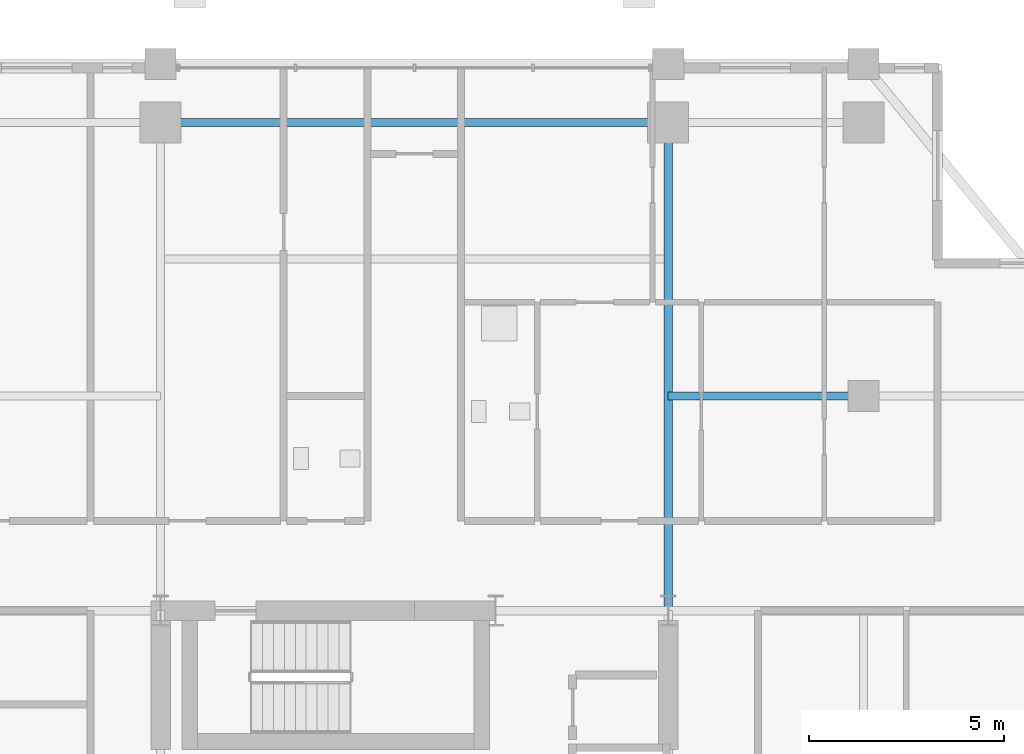
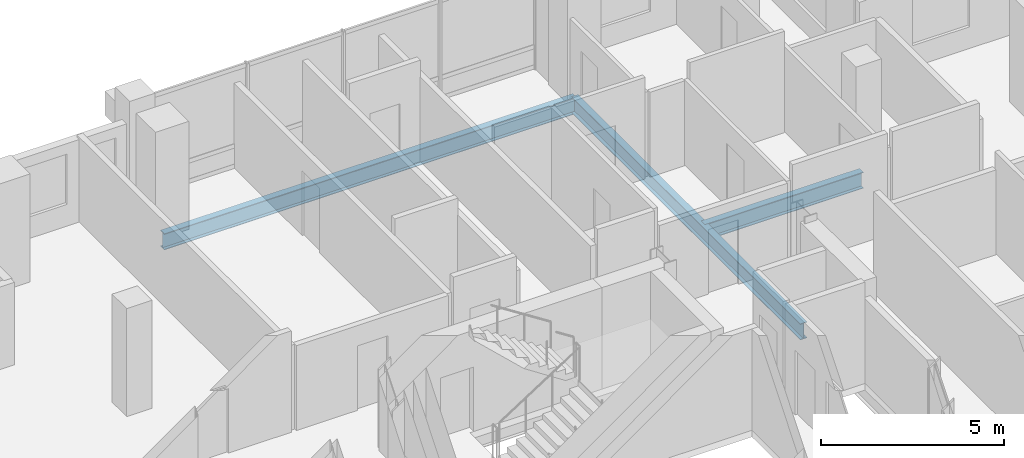
# One storey, part 14 of 24: 3 beams.
"""IFC4 building model written with IfcOpenShell, lengths in metres."""

import ifcopenshell
import ifcopenshell.guid

model = None  # the IFC model being written
_history = None  # IfcOwnerHistory: only IFC2X3 demands one
_inside = {}  # id of a spatial element -> (the spatial element, [elements in it])
_under = {}  # id of a project, library or spatial element -> (it, [spatial elements below it])
_declared = {}  # id of a project -> (the project, [libraries it declares])
_typed = {}  # id of a type object -> (the type object, [elements of that type])
_made_of = {}  # id of a material, layer set ... -> (it, [elements and type objects made of it])


def new_model(schema):
    """Start an empty IFC model of exactly this schema.

    Asked for "IFC4X3", IfcOpenShell would pick the latest addendum, in which some entities
    have other attributes; the version numbers below select the first issue.
    IFC2X3 requires an IfcOwnerHistory on every rooted entity: one is made here for all.
    """
    global model, _history
    if schema == "IFC4X3":
        model = ifcopenshell.file(schema_version=(4, 3, 0, 0))
    else:
        model = ifcopenshell.file(schema=schema)
    _inside.clear()
    _under.clear()
    _declared.clear()
    _typed.clear()
    _made_of.clear()
    _history = None
    if model.schema == "IFC2X3":
        org = make("IfcOrganization", Name="unknown")
        user = make(
            "IfcPersonAndOrganization",
            ThePerson=make("IfcPerson", FamilyName="unknown"),
            TheOrganization=org,
        )
        app = make(
            "IfcApplication",
            ApplicationDeveloper=org,
            Version="unknown",
            ApplicationFullName="unknown",
            ApplicationIdentifier="unknown",
        )
        _history = make(
            "IfcOwnerHistory",
            OwningUser=user,
            OwningApplication=app,
            ChangeAction="ADDED",
            CreationDate=0,
        )
    return model


def make(cls, **values):
    """One entity of the class cls with the attributes given. An attribute that is None is left unset."""
    return model.create_entity(
        cls, **{name: value for name, value in values.items() if value is not None}
    )


def rooted(cls, **values):
    """An entity with a GlobalId (a new one), such as an element, a storey or a relation."""
    return make(cls, GlobalId=ifcopenshell.guid.new(), OwnerHistory=_history, **values)


def si_unit(unit_type, name, prefix=None):
    """IfcSIUnit, for example si_unit("LENGTHUNIT", "METRE", prefix="MILLI")."""
    return make("IfcSIUnit", UnitType=unit_type, Prefix=prefix, Name=name)


def assignment(units):
    """IfcUnitAssignment: the units of a project."""
    return None if units is None else make("IfcUnitAssignment", Units=units)


def point(xyz):
    """IfcCartesianPoint."""
    return None if xyz is None else make("IfcCartesianPoint", Coordinates=xyz)


def direction(xyz):
    """IfcDirection."""
    return None if xyz is None else make("IfcDirection", DirectionRatios=xyz)


def frame(location, z_axis=None, x_axis=None):
    """IfcAxis2Placement3D, a coordinate frame: its origin and axes. An axis left out is left unset."""
    return make(
        "IfcAxis2Placement3D",
        Location=point(location),
        Axis=direction(z_axis),
        RefDirection=direction(x_axis),
    )


def frame_2d(location, x_axis=None):
    """IfcAxis2Placement2D, a coordinate frame in the plane: its origin and x axis."""
    return make(
        "IfcAxis2Placement2D", Location=point(location), RefDirection=direction(x_axis)
    )


def origin():
    """The frame at (0, 0, 0) with its axes left unset."""
    return frame((0.0, 0.0, 0.0))


def origin_2d():
    """The frame at (0, 0) in the plane with its x axis left unset."""
    return frame_2d((0.0, 0.0))


def place(relative_to, where):
    """IfcLocalPlacement: puts the frame where relative to a parent placement (None: the world)."""
    return make(
        "IfcLocalPlacement", PlacementRelTo=relative_to, RelativePlacement=where
    )


def context(
    kind, dimensions, precision=None, world=None, true_north=None, identifier=None
):
    """IfcGeometricRepresentationContext, for example the 3D "Model" context."""
    return make(
        "IfcGeometricRepresentationContext",
        ContextIdentifier=identifier,
        ContextType=kind,
        CoordinateSpaceDimension=dimensions,
        Precision=precision,
        WorldCoordinateSystem=world,
        TrueNorth=true_north,
    )


def subcontext(parent, identifier, kind, view, scale=None):
    """IfcGeometricRepresentationSubContext, for example "Body" below "Model"."""
    return make(
        "IfcGeometricRepresentationSubContext",
        ContextIdentifier=identifier,
        ContextType=kind,
        ParentContext=parent,
        TargetScale=scale,
        TargetView=view,
    )


def project(units=None, contexts=None):
    """IfcProject with its units and contexts."""
    return rooted(
        "IfcProject",
        Name="project",
        RepresentationContexts=contexts,
        UnitsInContext=assignment(units),
    )


def spatial(cls, under=None, at=None, **own):
    """A site, building, storey or space (cls), placed at a placement, below another one or the project."""
    s = rooted(cls, ObjectPlacement=at, **own)
    if under is not None:
        _under.setdefault(under.id(), (under, []))[1].append(s)
    return s


def profile(cls, at=None, kind="AREA", **sizes):
    """A parametric profile (cls). Its sizes go by their IFC names, for example OverallWidth=200.0."""
    return make(cls, ProfileType=kind, Position=at, **sizes)


def i_section(**sizes):
    """IfcIShapeProfileDef."""
    return profile("IfcIShapeProfileDef", **sizes)


def extrude(swept, where, along, depth):
    """IfcExtrudedAreaSolid: the profile swept, set in the frame where, extruded along a direction by depth."""
    return make(
        "IfcExtrudedAreaSolid",
        SweptArea=swept,
        Position=where,
        ExtrudedDirection=direction(along),
        Depth=depth,
    )


def shape(context_of_items, identifier, shape_type, items):
    """IfcShapeRepresentation: the items that make up one representation, for example the "Body"."""
    return make(
        "IfcShapeRepresentation",
        ContextOfItems=context_of_items,
        RepresentationIdentifier=identifier,
        RepresentationType=shape_type,
        Items=items,
    )


def material(Name=None, Category=None):
    """IfcMaterial."""
    return make("IfcMaterial", Name=Name, Category=Category)


def material_profile(
    of_material, cross_section, Name=None, Category=None, Priority=None
):
    """IfcMaterialProfile: a cross section and its material."""
    return make(
        "IfcMaterialProfile",
        Name=Name,
        Material=of_material,
        Profile=cross_section,
        Priority=Priority,
        Category=Category,
    )


def profile_set(profiles, Name=None, composite=None):
    """IfcMaterialProfileSet."""
    return make(
        "IfcMaterialProfileSet",
        Name=Name,
        MaterialProfiles=profiles,
        CompositeProfile=composite,
    )


def made_of(thing, what):
    """Note that an element or type object is made of a material, layer set ...; save() writes the relation."""
    if what is not None:
        _made_of.setdefault(what.id(), (what, []))[1].append(thing)
    return thing


def type_object(cls, material=None, **own):
    """A type object (cls), such as IfcWallType, which elements share."""
    return made_of(rooted(cls, **own), material)


def element(
    cls,
    number,
    at=None,
    inside=None,
    cuts=None,
    type_object=None,
    material=None,
    context=None,
    identifier="Body",
    shape_type=None,
    held_by="IfcProductDefinitionShape",
    body=None,
    shapes=None,
    **own,
):
    """One element of the class cls, such as IfcWall. Its Tag is "e" and its number.

    at: its placement. inside: the storey or other place that contains it. cuts: it is an
    opening in that element (IfcRelVoidsElement). A single representation is given by context,
    identifier, shape_type and body (its items); several are given by shapes. held_by: the class
    of the entity that holds the representations. save() writes the other relations.
    """
    e = rooted(cls, Tag="e%d" % number, ObjectPlacement=at, **own)
    if body is not None:
        shapes = [shape(context, identifier, shape_type, body)]
    if shapes is not None:
        e.Representation = make(held_by, Representations=shapes)
    if inside is not None:
        _inside.setdefault(inside.id(), (inside, []))[1].append(e)
    if cuts is not None:
        rooted(
            "IfcRelVoidsElement", RelatingBuildingElement=cuts, RelatedOpeningElement=e
        )
    if type_object is not None:
        _typed.setdefault(type_object.id(), (type_object, []))[1].append(e)
    return made_of(e, material)


def aggregate(whole, parts):
    """IfcRelAggregates: a whole, such as a stair, and the parts it consists of."""
    return rooted("IfcRelAggregates", RelatingObject=whole, RelatedObjects=parts)


def save(model, path):
    """Write the relations noted so far, then the file.

    IfcRelAggregates (storeys below a building ...), IfcRelContainedInSpatialStructure (elements
    in a storey), IfcRelDefinesByType, IfcRelAssociatesMaterial and IfcRelDeclares: one each for
    every whole, place, type object, material and project.
    """
    for whole, parts in _under.values():
        aggregate(whole, parts)
    for where, things in _inside.values():
        rooted(
            "IfcRelContainedInSpatialStructure",
            RelatedElements=things,
            RelatingStructure=where,
        )
    for kind, things in _typed.values():
        rooted("IfcRelDefinesByType", RelatedObjects=things, RelatingType=kind)
    for what, things in _made_of.values():
        rooted("IfcRelAssociatesMaterial", RelatedObjects=things, RelatingMaterial=what)
    for by, libraries in _declared.values():
        rooted("IfcRelDeclares", RelatingContext=by, RelatedDefinitions=libraries)
    model.write(path)


model = new_model("IFC4")

# Units and contexts
model_context = context("Model", 3, precision=1e-05, world=origin(), true_north=direction((0.0, 1.0)))
body_context = subcontext(model_context, "Body", "Model", "MODEL_VIEW")
ifc_project = project(units=[si_unit("LENGTHUNIT", "METRE"), si_unit("AREAUNIT", "SQUARE_METRE"), si_unit("VOLUMEUNIT", "CUBIC_METRE"), si_unit("PLANEANGLEUNIT", "RADIAN"), si_unit("MASSUNIT", "GRAM", prefix="KILO")], contexts=[model_context])

# Site, building, storey
site_placement = place(None, origin())
site = spatial("IfcSite", under=ifc_project, at=site_placement, CompositionType="ELEMENT")
building_placement = place(site_placement, origin())
building = spatial("IfcBuilding", under=site, at=building_placement, Name="Barlavira Tower and Art Museum", CompositionType="ELEMENT")
storey_placement = place(building_placement, frame((0.0, 0.0, 180.0)))
storey = spatial("IfcBuildingStorey", under=building, at=storey_placement, Name="L46", CompositionType="ELEMENT", Elevation=180.0)

# Beams
ifc_material = material(Name="Steel S355", Category="steel")
ifc_material_profile = material_profile(ifc_material, i_section(OverallWidth=0.2109375, OverallDepth=0.5390625, WebThickness=0.01171875, FlangeThickness=0.018798828125, at=origin_2d()), Name="W530x109.0")
ifc_profile_set = profile_set([ifc_material_profile], Name="Steel S355")
beam_type = type_object("IfcBeamType", Name="Zone 3-4 Primary Floor Girder W530x109 Steel S355", PredefinedType="BEAM", material=ifc_profile_set)
beam_1_placement = place(storey_placement, frame((-6.5, 20.0, -0.489501953125), z_axis=(1.0, 0.0, 0.0), x_axis=(0.0, 1.0, 0.0)))
element("IfcBeam", 1, at=beam_1_placement, inside=storey, type_object=beam_type, Name="L46 Girder M-N2", PredefinedType="BEAM", context=body_context, shape_type="SweptSolid", body=[
    extrude(i_section(OverallWidth=0.2109375, OverallDepth=0.5390625, WebThickness=0.01171875, FlangeThickness=0.018798828125, at=origin_2d()), origin(), (0.0, 0.0, 1.0), 13.0),
])
beam_2_placement = place(storey_placement, frame((6.5, 7.5, -0.489501953125), z_axis=(0.0, 1.0, 0.0), x_axis=(-1.0, 0.0, 0.0)))
element("IfcBeam", 2, at=beam_2_placement, inside=storey, type_object=beam_type, Name="L46 Girder R-N2", PredefinedType="BEAM", context=body_context, shape_type="SweptSolid", body=[
    extrude(i_section(OverallWidth=0.2109375, OverallDepth=0.5390625, WebThickness=0.01171875, FlangeThickness=0.018798828125, at=origin_2d()), origin(), (0.0, 0.0, 1.0), 12.5),
])
beam_3_placement = place(storey_placement, frame((6.5, 13.0, -0.489501953125), z_axis=(1.0, 0.0, 0.0), x_axis=(0.0, 1.0, 0.0)))
element("IfcBeam", 3, at=beam_3_placement, inside=storey, type_object=beam_type, Name="L46 Girder I-N3", PredefinedType="BEAM", context=body_context, shape_type="SweptSolid", body=[
    extrude(i_section(OverallWidth=0.2109375, OverallDepth=0.5390625, WebThickness=0.01171875, FlangeThickness=0.018798828125, at=origin_2d()), origin(), (0.0, 0.0, 1.0), 5.0),
])

save(model, "model.ifc")
